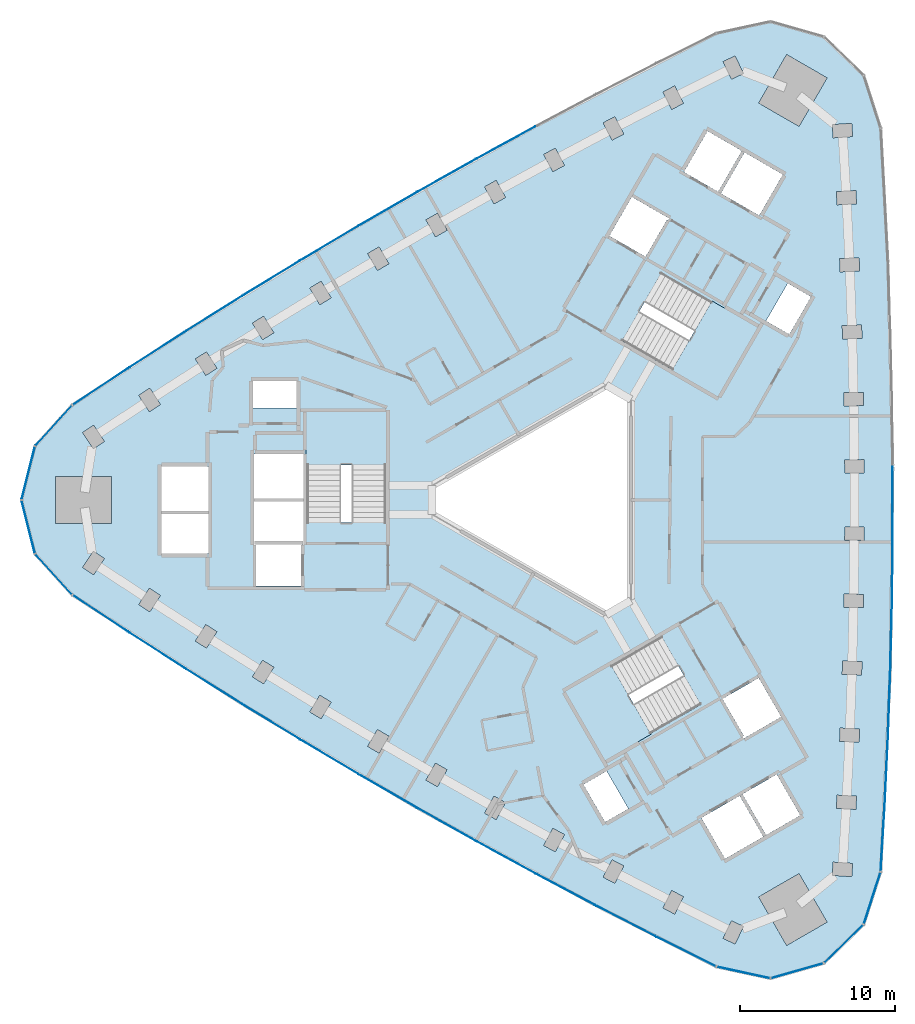
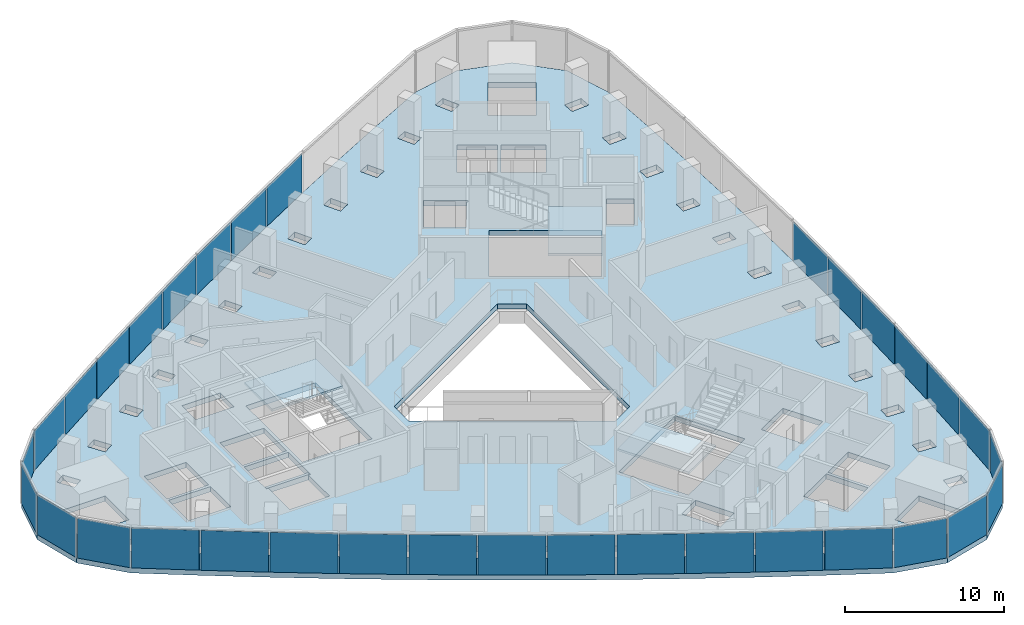
# One storey, part 6 of 12: 33 plates, 4 slabs, 6 elements without a shape of their own.
"""IFC4 building model written with IfcOpenShell, lengths in metres."""

from ifc_helpers import new_model, si_unit, direction, frame, origin, origin_2d, place, context, subcontext, project, spatial, polyline, rectangle, outline, extrude, material, layer, layer_set, type_object, element, aggregate, save


model = new_model("IFC4")

# Units and contexts
model_context = context("Model", 3, precision=1e-05, world=origin(), true_north=direction((0.0, 1.0)))
body_context = subcontext(model_context, "Body", "Model", "MODEL_VIEW")
ifc_project = project(units=[si_unit("LENGTHUNIT", "METRE"), si_unit("AREAUNIT", "SQUARE_METRE"), si_unit("VOLUMEUNIT", "CUBIC_METRE"), si_unit("PLANEANGLEUNIT", "RADIAN"), si_unit("MASSUNIT", "GRAM", prefix="KILO")], contexts=[model_context])

# Site, building, storey
site_placement = place(None, origin())
site = spatial("IfcSite", under=ifc_project, at=site_placement, CompositionType="ELEMENT")
building_placement = place(site_placement, origin())
building = spatial("IfcBuilding", under=site, at=building_placement, Name="Tamra Quay Hotel Tower", CompositionType="ELEMENT")
storey_placement = place(building_placement, frame((0.0, 0.0, 143.199951171875)))
storey = spatial("IfcBuildingStorey", under=building, at=storey_placement, Name="L35", CompositionType="ELEMENT", Elevation=143.199951171875)

# Stair, slab
ifc_material_1 = material(Name="Exit stair 2200 24 risers 150.0 going 342")
stair_type = type_object("IfcStairType", Name="Exit stair 2200 24 risers 150.0 going 342", PredefinedType="HALF_TURN_STAIR", material=ifc_material_1)
stair_1_placement = place(storey_placement, origin())
stair_1 = element("IfcStair", 1, at=stair_1_placement, inside=storey, type_object=stair_type, Name="L35 Exit stair ST3", PredefinedType="HALF_TURN_STAIR")
ifc_material_2 = material(Name="Concrete M70", Category="concrete")
ifc_layer_1 = layer(ifc_material_2, 0.175048828125)
ifc_layer_set_1 = layer_set([ifc_layer_1], Name="Concrete M70 stair landing 180")
slab_type_1 = type_object("IfcSlabType", Name="Concrete M70 stair landing 180", PredefinedType="LANDING", material=ifc_layer_set_1)
slab_1_placement = place(storey_placement, frame((0.0, 0.0, 1.625)))
slab_1 = element("IfcSlab", 2, at=slab_1_placement, type_object=slab_type_1, Name="ST3 landing 1", PredefinedType="LANDING", context=body_context, shape_type="SweptSolid", body=[
    extrude(outline(polyline([(-10.932373046875, 2.261962890625), (-10.932373046875, 5.679931640625), (-16.09130859375, 5.679931640625), (-16.09130859375, 2.261962890625), (-10.932373046875, 2.261962890625)])), origin(), (0.0, 0.0, 1.0), 0.175048828125),
])
aggregate(stair_1, [slab_1])

stair_2_placement = place(storey_placement, origin())
stair_2 = element("IfcStair", 3, at=stair_2_placement, inside=storey, type_object=stair_type, Name="L35 Exit stair ST1", PredefinedType="HALF_TURN_STAIR")
slab_2_placement = place(storey_placement, frame((0.0, 0.0, 1.625)))
slab_2 = element("IfcSlab", 4, at=slab_2_placement, type_object=slab_type_1, Name="ST1 landing 1", PredefinedType="LANDING", context=body_context, shape_type="SweptSolid", body=[
    extrude(outline(polyline([(7.425048828125, 8.336669921875), (10.385009765625, 6.627685546875), (12.964599609375, 11.095458984375), (10.00439453125, 12.804443359375), (7.425048828125, 8.336669921875)])), origin(), (0.0, 0.0, 1.0), 0.175048828125),
])
aggregate(stair_2, [slab_2])

stair_3_placement = place(storey_placement, origin())
stair_3 = element("IfcStair", 5, at=stair_3_placement, inside=storey, type_object=stair_type, Name="L35 Exit stair ST2", PredefinedType="HALF_TURN_STAIR")
slab_3_placement = place(storey_placement, frame((0.0, 0.0, 1.625)))
slab_3 = element("IfcSlab", 6, at=slab_3_placement, type_object=slab_type_1, Name="ST2 landing 1", PredefinedType="LANDING", context=body_context, shape_type="SweptSolid", body=[
    extrude(outline(polyline([(3.50732421875, -10.5986328125), (0.547119140625, -12.3076171875), (3.126708984375, -16.775390625), (6.086669921875, -15.06640625), (3.50732421875, -10.5986328125)])), origin(), (0.0, 0.0, 1.0), 0.175048828125),
])
aggregate(stair_3, [slab_3])

# Slab
ifc_material_3 = material(Name="Concrete M60", Category="concrete")
ifc_layer_2 = layer(ifc_material_3, 0.39990234375)
ifc_layer_set_2 = layer_set([ifc_layer_2], Name="FLOOR SLAB PT 400")
slab_type_2 = type_object("IfcSlabType", Name="FLOOR SLAB PT 400", PredefinedType="FLOOR", material=ifc_layer_set_2)
slab_4_placement = place(storey_placement, frame((0.0, 0.0, -0.39990234375)))
element("IfcSlab", 7, at=slab_4_placement, inside=storey, type_object=slab_type_2, Name="SLAB-L35", PredefinedType="FLOOR", context=body_context, shape_type="SweptSolid", body=[
    extrude(outline(polyline([(21.11181640625, 19.57421875), (21.319580078125, 15.228271484375), (21.4755859375, 10.87841796875), (21.57958984375, 6.527099609375), (21.631591796875, 2.17626953125), (21.631591796875, -2.17626953125), (21.57958984375, -6.527099609375), (21.4755859375, -10.87841796875), (21.319580078125, -15.228271484375), (21.11181640625, -19.57421875), (20.852294921875, -23.918212890625), (19.76171875, -27.31201171875), (17.199951171875, -29.791259765625), (13.772216796875, -30.770263671875), (10.28759765625, -30.017578125), (6.39599609375, -28.0703125), (2.5283203125, -26.077392578125), (-1.31689453125, -24.03759765625), (-5.13720703125, -21.951904296875), (-8.930908203125, -19.821533203125), (-12.700439453125, -17.645263671875), (-16.4423828125, -15.4248046875), (-20.15869140625, -13.1591796875), (-23.84765625, -10.84912109375), (-27.507568359375, -8.49609375), (-31.139892578125, -6.099365234375), (-33.53369140625, -3.4580078125), (-34.39990234375, 0.0), (-33.53369140625, 3.4580078125), (-31.139892578125, 6.099365234375), (-27.507568359375, 8.49609375), (-23.84765625, 10.84912109375), (-20.15869140625, 13.1591796875), (-16.4423828125, 15.4248046875), (-12.700439453125, 17.645263671875), (-8.930908203125, 19.821533203125), (-5.13720703125, 21.951904296875), (-1.31689453125, 24.03759765625), (2.5283203125, 26.077392578125), (6.39599609375, 28.0703125), (10.28759765625, 30.017578125), (13.772216796875, 30.770263671875), (17.199951171875, 29.791259765625), (19.76171875, 27.31201171875), (20.852294921875, 23.918212890625), (21.11181640625, 19.57421875)]), holes=[polyline([(-12.1396484375, -15.846435546875), (-11.406005859375, -16.27587890625), (-10.7744140625, -15.197265625), (-11.5078125, -14.767578125), (-12.1396484375, -15.846435546875)]), polyline([(-15.216796875, -12.561279296875), (-15.86083984375, -13.632568359375), (-15.13232421875, -14.0703125), (-14.48828125, -12.9990234375), (-15.216796875, -12.561279296875)]), polyline([(-18.898193359375, -10.310791015625), (-19.55517578125, -11.3740234375), (-18.83203125, -11.82080078125), (-18.175048828125, -10.757568359375), (-18.898193359375, -10.310791015625)]), polyline([(-22.55224609375, -8.016357421875), (-23.222412109375, -9.071533203125), (-22.5048828125, -9.527099609375), (-21.834716796875, -8.471923828125), (-22.55224609375, -8.016357421875)]), polyline([(-26.179931640625, -5.678466796875), (-26.862060546875, -6.725830078125), (-26.149658203125, -7.189697265625), (-25.467529296875, -6.142333984375), (-26.179931640625, -5.678466796875)]), polyline([(-16.3173828125, -2.85498046875), (-19.4072265625, -2.85498046875), (-19.4072265625, -2.89306640625), (-19.307373046875, -2.89306640625), (-19.307373046875, -5.544921875), (-16.417236328125, -5.544921875), (-16.417236328125, -2.89306640625), (-16.3173828125, -2.89306640625), (-16.3173828125, -2.85498046875)]), polyline([(-29.77880859375, -3.297607421875), (-30.473388671875, -4.3369140625), (-29.7666015625, -4.80908203125), (-29.072021484375, -3.77001953125), (-29.77880859375, -3.297607421875)]), polyline([(-22.3671875, -0.905029296875), (-25.4072265625, -0.905029296875), (-25.4072265625, -3.445068359375), (-22.3671875, -3.445068359375), (-22.3671875, -0.905029296875)]), polyline([(-19.417236328125, -2.89306640625), (-19.417236328125, -2.64501953125), (-16.307373046875, -2.64501953125), (-16.307373046875, -2.89306640625), (-16.26708984375, -2.89306640625), (-16.26708984375, -0.10498046875), (-19.45751953125, -0.10498046875), (-19.45751953125, -2.89306640625), (-19.417236328125, -2.89306640625)]), polyline([(-28.6142578125, 1.5), (-32.214111328125, 1.5), (-32.214111328125, -1.5), (-28.6142578125, -1.5), (-28.6142578125, 1.5)]), polyline([(-25.4072265625, -0.695068359375), (-22.3671875, -0.695068359375), (-22.3671875, 2.14501953125), (-25.4072265625, 2.14501953125), (-25.4072265625, -0.695068359375)]), polyline([(-19.45751953125, 0.10498046875), (-16.26708984375, 0.10498046875), (-16.26708984375, 2.945068359375), (-19.45751953125, 2.945068359375), (-19.45751953125, 0.10498046875)]), polyline([(-16.036376953125, -1.455078125), (-10.9873046875, -1.455078125), (-10.9873046875, 5.625), (-16.036376953125, 5.625), (-16.036376953125, -1.455078125)]), polyline([(-29.072021484375, 3.77001953125), (-29.7666015625, 4.80908203125), (-30.473388671875, 4.3369140625), (-29.77880859375, 3.297607421875), (-29.072021484375, 3.77001953125)]), polyline([(-26.149658203125, 7.189697265625), (-26.862060546875, 6.725830078125), (-26.179931640625, 5.678466796875), (-25.467529296875, 6.142333984375), (-26.149658203125, 7.189697265625)]), polyline([(-16.71728515625, 7.64501953125), (-19.50732421875, 7.64501953125), (-19.50732421875, 5.9150390625), (-16.71728515625, 5.9150390625), (-16.71728515625, 7.64501953125)]), polyline([(-21.834716796875, 8.471923828125), (-22.5048828125, 9.527099609375), (-23.222412109375, 9.071533203125), (-22.55224609375, 8.016357421875), (-21.834716796875, 8.471923828125)]), polyline([(-18.175048828125, 10.757568359375), (-18.83203125, 11.82080078125), (-19.55517578125, 11.3740234375), (-18.898193359375, 10.310791015625), (-18.175048828125, 10.757568359375)]), polyline([(-14.48828125, 12.9990234375), (-15.13232421875, 14.0703125), (-15.86083984375, 13.632568359375), (-15.216796875, 12.561279296875), (-14.48828125, 12.9990234375)]), polyline([(7.414306640625, -25.126708984375), (6.848388671875, -26.2412109375), (7.606201171875, -26.626220703125), (8.17236328125, -25.51171875), (7.414306640625, -25.126708984375)]), polyline([(3.580322265625, -23.1455078125), (3.00146484375, -24.25341796875), (3.7548828125, -24.64697265625), (4.333740234375, -23.5390625), (3.580322265625, -23.1455078125)]), polyline([(-0.821044921875, -22.219482421875), (-0.072509765625, -22.622314453125), (0.519775390625, -21.521484375), (-0.228759765625, -21.118896484375), (-0.821044921875, -22.219482421875)]), polyline([(13.3056640625, -21.65576171875), (11.78564453125, -19.02294921875), (9.325927734375, -20.443115234375), (10.845947265625, -23.075927734375), (13.3056640625, -21.65576171875)]), polyline([(-4.01318359375, -19.046875), (-4.619140625, -20.14013671875), (-3.875732421875, -20.55224609375), (-3.269775390625, -19.458740234375), (-4.01318359375, -19.046875)]), polyline([(1.73779296875, -18.300048828125), (3.1328125, -20.71630859375), (4.631103515625, -19.851318359375), (3.236083984375, -17.43505859375), (1.73779296875, -18.300048828125)]), polyline([(-7.77392578125, -16.9296875), (-8.392333984375, -18.01611328125), (-7.653564453125, -18.436279296875), (-7.035400390625, -17.35009765625), (-7.77392578125, -16.9296875)]), polyline([(9.2783203125, -13.160400390625), (6.75390625, -8.78759765625), (0.622314453125, -12.32763671875), (3.146728515625, -16.7001953125), (9.2783203125, -13.160400390625)]), polyline([(3.199951171875, 7.39013671875), (-8.0, 0.923828125), (-8.0, -0.923828125), (3.199951171875, -7.39013671875), (4.800048828125, -6.46630859375), (4.800048828125, 6.46630859375), (3.199951171875, 7.39013671875)]), polyline([(4.2333984375, 10.242919921875), (10.364990234375, 6.702880859375), (12.889404296875, 11.075439453125), (6.758056640625, 14.615478515625), (4.2333984375, 10.242919921875)]), polyline([(-10.7744140625, 15.197265625), (-11.406005859375, 16.27587890625), (-12.1396484375, 15.846435546875), (-11.5078125, 14.767578125), (-10.7744140625, 15.197265625)]), polyline([(5.736083984375, 15.645263671875), (7.111083984375, 18.02685546875), (7.19775390625, 17.976806640625), (7.267578125, 18.09814453125), (4.8515625, 19.4931640625), (3.406494140625, 16.990234375), (5.736083984375, 15.645263671875)]), polyline([(-7.035400390625, 17.35009765625), (-7.653564453125, 18.436279296875), (-8.392333984375, 18.01611328125), (-7.77392578125, 16.9296875), (-7.035400390625, 17.35009765625)]), polyline([(-3.269775390625, 19.458740234375), (-3.875732421875, 20.55224609375), (-4.619140625, 20.14013671875), (-4.01318359375, 19.046875), (-3.269775390625, 19.458740234375)]), polyline([(8.2001953125, 21.093017578125), (10.39990234375, 19.822998046875), (11.919921875, 22.455810546875), (9.72021484375, 23.725830078125), (8.2001953125, 21.093017578125)]), polyline([(0.519775390625, 21.521484375), (-0.072509765625, 22.622314453125), (-0.821044921875, 22.219482421875), (-0.228759765625, 21.118896484375), (0.519775390625, 21.521484375)]), polyline([(3.7548828125, 24.64697265625), (3.00146484375, 24.25341796875), (3.580322265625, 23.1455078125), (4.333740234375, 23.5390625), (3.7548828125, 24.64697265625)]), polyline([(8.17236328125, 25.51171875), (7.606201171875, 26.626220703125), (6.848388671875, 26.2412109375), (7.414306640625, 25.126708984375), (8.17236328125, 25.51171875)]), polyline([(12.03369140625, 27.43798828125), (11.480712890625, 28.55908203125), (10.718505859375, 28.18310546875), (11.271240234375, 27.06201171875), (12.03369140625, 27.43798828125)]), polyline([(11.271240234375, -27.06201171875), (10.718505859375, -28.18310546875), (11.480712890625, -28.55908203125), (12.03369140625, -27.43798828125), (11.271240234375, -27.06201171875)]), polyline([(13.008056640625, -25.53076171875), (14.80810546875, -28.648193359375), (17.406005859375, -27.148193359375), (15.606201171875, -24.03076171875), (13.008056640625, -25.53076171875)]), polyline([(17.7451171875, -24.140380859375), (18.99267578125, -24.22216796875), (19.048095703125, -23.3740234375), (17.80078125, -23.292236328125), (17.7451171875, -24.140380859375)]), polyline([(14.1669921875, -17.648193359375), (11.96728515625, -18.91796875), (13.487548828125, -21.55078125), (15.68701171875, -20.281005859375), (14.1669921875, -17.648193359375)]), polyline([(19.255859375, -19.900146484375), (19.301513671875, -19.051513671875), (18.05322265625, -18.984375), (18.007568359375, -19.833251953125), (19.255859375, -19.900146484375)]), polyline([(18.218505859375, -15.5224609375), (19.46728515625, -15.5751953125), (19.50341796875, -14.72607421875), (18.25439453125, -14.67333984375), (18.218505859375, -15.5224609375)]), polyline([(10.68115234375, -12.790283203125), (12.05615234375, -15.171875), (11.969482421875, -15.2216796875), (12.03955078125, -15.343017578125), (14.455810546875, -13.947998046875), (13.0107421875, -11.4453125), (10.68115234375, -12.790283203125)]), polyline([(18.37841796875, -11.2109375), (19.627685546875, -11.248291015625), (19.6533203125, -10.398681640625), (18.40380859375, -10.361328125), (18.37841796875, -11.2109375)]), polyline([(18.48681640625, -6.897705078125), (19.736572265625, -6.919677734375), (19.75146484375, -6.06982421875), (18.501708984375, -6.0478515625), (18.48681640625, -6.897705078125)]), polyline([(18.543212890625, -2.582275390625), (19.793212890625, -2.590087890625), (19.79833984375, -1.739990234375), (18.54833984375, -1.732421875), (18.543212890625, -2.582275390625)]), polyline([(18.54833984375, 1.732421875), (19.79833984375, 1.739990234375), (19.793212890625, 2.590087890625), (18.543212890625, 2.582275390625), (18.54833984375, 1.732421875)]), polyline([(18.501708984375, 6.0478515625), (19.75146484375, 6.06982421875), (19.736572265625, 6.919677734375), (18.48681640625, 6.897705078125), (18.501708984375, 6.0478515625)]), polyline([(18.40380859375, 10.361328125), (19.6533203125, 10.398681640625), (19.627685546875, 11.248291015625), (18.37841796875, 11.2109375), (18.40380859375, 10.361328125)]), polyline([(14.9794921875, 10.655029296875), (16.37451171875, 13.0712890625), (14.876220703125, 13.936279296875), (13.481201171875, 11.52001953125), (14.9794921875, 10.655029296875)]), polyline([(18.25439453125, 14.67333984375), (19.50341796875, 14.72607421875), (19.46728515625, 15.5751953125), (18.218505859375, 15.5224609375), (18.25439453125, 14.67333984375)]), polyline([(18.05322265625, 18.984375), (19.301513671875, 19.051513671875), (19.255859375, 19.900146484375), (18.007568359375, 19.833251953125), (18.05322265625, 18.984375)]), polyline([(12.101806640625, 22.350830078125), (10.58154296875, 19.718017578125), (13.041259765625, 18.298095703125), (14.561279296875, 20.930908203125), (12.101806640625, 22.350830078125)]), polyline([(17.80078125, 23.292236328125), (19.048095703125, 23.3740234375), (18.99267578125, 24.22216796875), (17.7451171875, 24.140380859375), (17.80078125, 23.292236328125)]), polyline([(15.606201171875, 24.03076171875), (17.406005859375, 27.148193359375), (14.80810546875, 28.648193359375), (13.008056640625, 25.53076171875), (15.606201171875, 24.03076171875)])]), origin(), (0.0, 0.0, 1.0), 0.39990234375),
])

# Curtain wall, plates
ifc_material_4 = material(Name="Aluminium 6063 anodised dark grey", Category="aluminium")
curtain_wall_type_1 = type_object("IfcCurtainWallType", Name="CW1 CURTAIN WALL", PredefinedType="NOTDEFINED", material=ifc_material_4)
curtain_wall_1_placement = place(storey_placement, origin())
curtain_wall_1 = element("IfcCurtainWall", 8, at=curtain_wall_1_placement, inside=storey, type_object=curtain_wall_type_1, Name="CW1 east face L35", PredefinedType="NOTDEFINED")
ifc_material_5 = material(Name="Glass clear laminated low-iron", Category="glass")
ifc_layer_3 = layer(ifc_material_5, 0.031982421875)
ifc_layer_set_3 = layer_set([ifc_layer_3], Name="GLASS PANEL CW1 Z3")
plate_type_1 = type_object("IfcPlateType", Name="GLASS PANEL CW1 Z3", PredefinedType="CURTAIN_PANEL", material=ifc_layer_set_3)
plate_1_placement = place(storey_placement, frame((20.98193359375, -21.74609375, 0.0), z_axis=(0.0, 0.0, 1.0), x_axis=(0.059641629271, 0.998219853568, 0.0)))
plate_1 = element("IfcPlate", 9, at=plate_1_placement, type_object=plate_type_1, Name="CW1 glass L35.E.1", PredefinedType="CURTAIN_PANEL", context=body_context, shape_type="SweptSolid", body=[
    extrude(rectangle(XDim=4.251708984375, YDim=0.031982421875, at=origin_2d()), origin(), (0.0, 0.0, 1.0), 3.06005859375),
])
plate_2_placement = place(storey_placement, frame((21.215576171875, -17.401123046875, 0.0), z_axis=(0.0, 0.0, 1.0), x_axis=(0.047747439326, 0.998859440581, 0.0)))
plate_2 = element("IfcPlate", 10, at=plate_2_placement, type_object=plate_type_1, Name="CW1 glass L35.E.2", PredefinedType="CURTAIN_PANEL", context=body_context, shape_type="SweptSolid", body=[
    extrude(rectangle(XDim=4.2509765625, YDim=0.031982421875, at=origin_2d()), origin(), (0.0, 0.0, 1.0), 3.06005859375),
])
plate_3_placement = place(storey_placement, frame((21.3974609375, -13.05322265625, 0.0), z_axis=(0.0, 0.0, 1.0), x_axis=(0.035845418958, 0.999357346468, 0.0)))
plate_3 = element("IfcPlate", 11, at=plate_3_placement, type_object=plate_type_1, Name="CW1 glass L35.E.3", PredefinedType="CURTAIN_PANEL", context=body_context, shape_type="SweptSolid", body=[
    extrude(rectangle(XDim=4.252685546875, YDim=0.031982421875, at=origin_2d()), origin(), (0.0, 0.0, 1.0), 3.06005859375),
])
plate_4_placement = place(storey_placement, frame((21.527587890625, -8.70263671875, 0.0), z_axis=(0.0, 0.0, 1.0), x_axis=(0.023895852937, 0.999714453338, 0.0)))
plate_4 = element("IfcPlate", 12, at=plate_4_placement, type_object=plate_type_1, Name="CW1 glass L35.E.4", PredefinedType="CURTAIN_PANEL", context=body_context, shape_type="SweptSolid", body=[
    extrude(rectangle(XDim=4.252685546875, YDim=0.031982421875, at=origin_2d()), origin(), (0.0, 0.0, 1.0), 3.06005859375),
])
plate_5_placement = place(storey_placement, frame((21.60546875, -4.3515625, 0.0), z_axis=(0.0, 0.0, 1.0), x_axis=(0.011956859788, 0.999928514197, 0.0)))
plate_5 = element("IfcPlate", 13, at=plate_5_placement, type_object=plate_type_1, Name="CW1 glass L35.E.5", PredefinedType="CURTAIN_PANEL", context=body_context, shape_type="SweptSolid", body=[
    extrude(rectangle(XDim=4.2509765625, YDim=0.031982421875, at=origin_2d()), origin(), (0.0, 0.0, 1.0), 3.06005859375),
])
plate_6_placement = place(storey_placement, frame((21.631591796875, 0.0, 0.0), z_axis=(0.0, 0.0, 1.0), x_axis=(0.0, 1.0, 0.0)))
plate_6 = element("IfcPlate", 14, at=plate_6_placement, type_object=plate_type_1, Name="CW1 glass L35.E.6", PredefinedType="CURTAIN_PANEL", context=body_context, shape_type="SweptSolid", body=[
    extrude(rectangle(XDim=4.252685546875, YDim=0.031982421875, at=origin_2d()), origin(), (0.0, 0.0, 1.0), 3.06005859375),
])
aggregate(curtain_wall_1, [plate_1, plate_2, plate_3, plate_4, plate_5, plate_6])

curtain_wall_type_2 = type_object("IfcCurtainWallType", Name="CW2 CURTAIN WALL", PredefinedType="NOTDEFINED", material=ifc_material_4)
curtain_wall_2_placement = place(storey_placement, origin())
curtain_wall_2 = element("IfcCurtainWall", 15, at=curtain_wall_2_placement, inside=storey, type_object=curtain_wall_type_2, Name="CW2 north-west face L35", PredefinedType="NOTDEFINED")
ifc_layer_4 = layer(ifc_material_5, 0.031982421875)
ifc_layer_set_4 = layer_set([ifc_layer_4], Name="GLASS PANEL CW2 Z3")
plate_type_2 = type_object("IfcPlateType", Name="GLASS PANEL CW2 Z3", PredefinedType="CURTAIN_PANEL", material=ifc_layer_set_4)
plate_7_placement = place(storey_placement, frame((-3.22705078125, 22.99462890625, 0.0), z_axis=(0.0, 0.0, 1.0), x_axis=(-0.877726039589, -0.479162810981, 0.0)))
plate_7 = element("IfcPlate", 16, at=plate_7_placement, type_object=plate_type_2, Name="CW2 glass L35.NW.4", PredefinedType="CURTAIN_PANEL", context=body_context, shape_type="SweptSolid", body=[
    extrude(rectangle(XDim=4.252685546875, YDim=0.031982421875, at=origin_2d()), origin(), (0.0, 0.0, 1.0), 3.06005859375),
])
plate_8_placement = place(storey_placement, frame((-7.0341796875, 20.88671875, 0.0), z_axis=(0.0, 0.0, 1.0), x_axis=(-0.871941925157, -0.489609312772, 0.0)))
plate_8 = element("IfcPlate", 17, at=plate_8_placement, type_object=plate_type_2, Name="CW2 glass L35.NW.5", PredefinedType="CURTAIN_PANEL", context=body_context, shape_type="SweptSolid", body=[
    extrude(rectangle(XDim=4.2509765625, YDim=0.031982421875, at=origin_2d()), origin(), (0.0, 0.0, 1.0), 3.06005859375),
])
plate_9_placement = place(storey_placement, frame((-10.815673828125, 18.7333984375, 0.0), z_axis=(0.0, 0.0, 1.0), x_axis=(-0.866025403784, -0.5, 0.0)))
plate_9 = element("IfcPlate", 18, at=plate_9_placement, type_object=plate_type_2, Name="CW2 glass L35.NW.6", PredefinedType="CURTAIN_PANEL", context=body_context, shape_type="SweptSolid", body=[
    extrude(rectangle(XDim=4.252685546875, YDim=0.031982421875, at=origin_2d()), origin(), (0.0, 0.0, 1.0), 3.06005859375),
])
plate_10_placement = place(storey_placement, frame((-14.571533203125, 16.53515625, 0.0), z_axis=(0.0, 0.0, 1.0), x_axis=(-0.859985065369, -0.510319201424, 0.0)))
plate_10 = element("IfcPlate", 19, at=plate_10_placement, type_object=plate_type_2, Name="CW2 glass L35.NW.7", PredefinedType="CURTAIN_PANEL", context=body_context, shape_type="SweptSolid", body=[
    extrude(rectangle(XDim=4.2509765625, YDim=0.031982421875, at=origin_2d()), origin(), (0.0, 0.0, 1.0), 3.06005859375),
])
plate_11_placement = place(storey_placement, frame((-18.300537109375, 14.2919921875, 0.0), z_axis=(0.0, 0.0, 1.0), x_axis=(-0.853830186653, -0.520551642357, 0.0)))
plate_11 = element("IfcPlate", 20, at=plate_11_placement, type_object=plate_type_2, Name="CW2 glass L35.NW.8", PredefinedType="CURTAIN_PANEL", context=body_context, shape_type="SweptSolid", body=[
    extrude(rectangle(XDim=4.252685546875, YDim=0.031982421875, at=origin_2d()), origin(), (0.0, 0.0, 1.0), 3.06005859375),
])
plate_12_placement = place(storey_placement, frame((-22.003173828125, 12.004150390625, 0.0), z_axis=(0.0, 0.0, 1.0), x_axis=(-0.847546140021, -0.530721716661, 0.0)))
plate_12 = element("IfcPlate", 21, at=plate_12_placement, type_object=plate_type_2, Name="CW2 glass L35.NW.9", PredefinedType="CURTAIN_PANEL", context=body_context, shape_type="SweptSolid", body=[
    extrude(rectangle(XDim=4.252685546875, YDim=0.031982421875, at=origin_2d()), origin(), (0.0, 0.0, 1.0), 3.06005859375),
])
plate_13_placement = place(storey_placement, frame((-25.677734375, 9.672607421875, 0.0), z_axis=(0.0, 0.0, 1.0), x_axis=(-0.84116393069, -0.540780215713, 0.0)))
plate_13 = element("IfcPlate", 22, at=plate_13_placement, type_object=plate_type_2, Name="CW2 glass L35.NW.10", PredefinedType="CURTAIN_PANEL", context=body_context, shape_type="SweptSolid", body=[
    extrude(rectangle(XDim=4.2509765625, YDim=0.031982421875, at=origin_2d()), origin(), (0.0, 0.0, 1.0), 3.06005859375),
])
plate_14_placement = place(storey_placement, frame((-29.32373046875, 7.2978515625, 0.0), z_axis=(0.0, 0.0, 1.0), x_axis=(-0.834662937117, -0.550761092856, 0.0)))
plate_14 = element("IfcPlate", 23, at=plate_14_placement, type_object=plate_type_2, Name="CW2 glass L35.NW.11", PredefinedType="CURTAIN_PANEL", context=body_context, shape_type="SweptSolid", body=[
    extrude(rectangle(XDim=4.251708984375, YDim=0.031982421875, at=origin_2d()), origin(), (0.0, 0.0, 1.0), 3.06005859375),
])
plate_15_placement = place(storey_placement, frame((-32.3369140625, 4.77880859375, 0.0), z_axis=(0.0, 0.0, 1.0), x_axis=(-0.671549804177, -0.740959418936, 0.0)))
plate_15 = element("IfcPlate", 24, at=plate_15_placement, type_object=plate_type_2, Name="CW2 glass L35.NW.12", PredefinedType="CURTAIN_PANEL", context=body_context, shape_type="SweptSolid", body=[
    extrude(rectangle(XDim=3.46484375, YDim=0.031982421875, at=origin_2d()), origin(), (0.0, 0.0, 1.0), 3.06005859375),
])
plate_16_placement = place(storey_placement, frame((-33.967041015625, 1.72900390625, 0.0), z_axis=(0.0, 0.0, 1.0), x_axis=(-0.242976186667, -0.970032253439, 0.0)))
plate_16 = element("IfcPlate", 25, at=plate_16_placement, type_object=plate_type_2, Name="CW2 glass L35.NW.13", PredefinedType="CURTAIN_PANEL", context=body_context, shape_type="SweptSolid", body=[
    extrude(rectangle(XDim=3.46484375, YDim=0.031982421875, at=origin_2d()), origin(), (0.0, 0.0, 1.0), 3.06005859375),
])
plate_17_placement = place(storey_placement, frame((-33.967041015625, -1.72900390625, 0.0), z_axis=(0.0, 0.0, 1.0), x_axis=(0.242976186667, -0.970032253439, 0.0)))
plate_17 = element("IfcPlate", 26, at=plate_17_placement, type_object=plate_type_2, Name="CW2 glass L35.NW.14", PredefinedType="CURTAIN_PANEL", context=body_context, shape_type="SweptSolid", body=[
    extrude(rectangle(XDim=3.46484375, YDim=0.031982421875, at=origin_2d()), origin(), (0.0, 0.0, 1.0), 3.06005859375),
])
plate_18_placement = place(storey_placement, frame((-32.3369140625, -4.77880859375, 0.0), z_axis=(0.0, 0.0, 1.0), x_axis=(0.671549804177, -0.740959418936, 0.0)))
plate_18 = element("IfcPlate", 27, at=plate_18_placement, type_object=plate_type_2, Name="CW2 glass L35.NW.15", PredefinedType="CURTAIN_PANEL", context=body_context, shape_type="SweptSolid", body=[
    extrude(rectangle(XDim=3.46484375, YDim=0.031982421875, at=origin_2d()), origin(), (0.0, 0.0, 1.0), 3.06005859375),
])
aggregate(curtain_wall_2, [plate_7, plate_8, plate_9, plate_10, plate_11, plate_12, plate_13, plate_14, plate_15, plate_16, plate_17, plate_18])

curtain_wall_type_3 = type_object("IfcCurtainWallType", Name="CW3 CURTAIN WALL", PredefinedType="NOTDEFINED", material=ifc_material_4)
curtain_wall_3_placement = place(storey_placement, origin())
curtain_wall_3 = element("IfcCurtainWall", 28, at=curtain_wall_3_placement, inside=storey, type_object=curtain_wall_type_3, Name="CW3 south-west face L35", PredefinedType="NOTDEFINED")
ifc_layer_5 = layer(ifc_material_5, 0.031982421875)
ifc_layer_set_5 = layer_set([ifc_layer_5], Name="GLASS PANEL CW3 Z3")
plate_type_3 = type_object("IfcPlateType", Name="GLASS PANEL CW3 Z3", PredefinedType="CURTAIN_PANEL", material=ifc_layer_set_5)
plate_19_placement = place(storey_placement, frame((-29.32373046875, -7.2978515625, 0.0), z_axis=(0.0, 0.0, 1.0), x_axis=(0.834662937117, -0.550761092856, 0.0)))
plate_19 = element("IfcPlate", 29, at=plate_19_placement, type_object=plate_type_3, Name="CW3 glass L35.SW.1", PredefinedType="CURTAIN_PANEL", context=body_context, shape_type="SweptSolid", body=[
    extrude(rectangle(XDim=4.251708984375, YDim=0.031982421875, at=origin_2d()), origin(), (0.0, 0.0, 1.0), 3.06005859375),
])
plate_20_placement = place(storey_placement, frame((-25.677734375, -9.672607421875, 0.0), z_axis=(0.0, 0.0, 1.0), x_axis=(0.84116393069, -0.540780215713, 0.0)))
plate_20 = element("IfcPlate", 30, at=plate_20_placement, type_object=plate_type_3, Name="CW3 glass L35.SW.2", PredefinedType="CURTAIN_PANEL", context=body_context, shape_type="SweptSolid", body=[
    extrude(rectangle(XDim=4.2509765625, YDim=0.031982421875, at=origin_2d()), origin(), (0.0, 0.0, 1.0), 3.06005859375),
])
plate_21_placement = place(storey_placement, frame((-22.003173828125, -12.004150390625, 0.0), z_axis=(0.0, 0.0, 1.0), x_axis=(0.847546140021, -0.530721716661, 0.0)))
plate_21 = element("IfcPlate", 31, at=plate_21_placement, type_object=plate_type_3, Name="CW3 glass L35.SW.3", PredefinedType="CURTAIN_PANEL", context=body_context, shape_type="SweptSolid", body=[
    extrude(rectangle(XDim=4.252685546875, YDim=0.031982421875, at=origin_2d()), origin(), (0.0, 0.0, 1.0), 3.06005859375),
])
plate_22_placement = place(storey_placement, frame((-18.300537109375, -14.2919921875, 0.0), z_axis=(0.0, 0.0, 1.0), x_axis=(0.853830186653, -0.520551642357, 0.0)))
plate_22 = element("IfcPlate", 32, at=plate_22_placement, type_object=plate_type_3, Name="CW3 glass L35.SW.4", PredefinedType="CURTAIN_PANEL", context=body_context, shape_type="SweptSolid", body=[
    extrude(rectangle(XDim=4.252685546875, YDim=0.031982421875, at=origin_2d()), origin(), (0.0, 0.0, 1.0), 3.06005859375),
])
plate_23_placement = place(storey_placement, frame((-14.571533203125, -16.53515625, 0.0), z_axis=(0.0, 0.0, 1.0), x_axis=(0.859985065369, -0.510319201424, 0.0)))
plate_23 = element("IfcPlate", 33, at=plate_23_placement, type_object=plate_type_3, Name="CW3 glass L35.SW.5", PredefinedType="CURTAIN_PANEL", context=body_context, shape_type="SweptSolid", body=[
    extrude(rectangle(XDim=4.2509765625, YDim=0.031982421875, at=origin_2d()), origin(), (0.0, 0.0, 1.0), 3.06005859375),
])
plate_24_placement = place(storey_placement, frame((-10.815673828125, -18.7333984375, 0.0), z_axis=(0.0, 0.0, 1.0), x_axis=(0.866025403784, -0.5, 0.0)))
plate_24 = element("IfcPlate", 34, at=plate_24_placement, type_object=plate_type_3, Name="CW3 glass L35.SW.6", PredefinedType="CURTAIN_PANEL", context=body_context, shape_type="SweptSolid", body=[
    extrude(rectangle(XDim=4.252685546875, YDim=0.031982421875, at=origin_2d()), origin(), (0.0, 0.0, 1.0), 3.06005859375),
])
plate_25_placement = place(storey_placement, frame((-7.0341796875, -20.88671875, 0.0), z_axis=(0.0, 0.0, 1.0), x_axis=(0.871941925157, -0.489609312772, 0.0)))
plate_25 = element("IfcPlate", 35, at=plate_25_placement, type_object=plate_type_3, Name="CW3 glass L35.SW.7", PredefinedType="CURTAIN_PANEL", context=body_context, shape_type="SweptSolid", body=[
    extrude(rectangle(XDim=4.2509765625, YDim=0.031982421875, at=origin_2d()), origin(), (0.0, 0.0, 1.0), 3.06005859375),
])
plate_26_placement = place(storey_placement, frame((-3.22705078125, -22.99462890625, 0.0), z_axis=(0.0, 0.0, 1.0), x_axis=(0.877726039589, -0.479162810981, 0.0)))
plate_26 = element("IfcPlate", 36, at=plate_26_placement, type_object=plate_type_3, Name="CW3 glass L35.SW.8", PredefinedType="CURTAIN_PANEL", context=body_context, shape_type="SweptSolid", body=[
    extrude(rectangle(XDim=4.252685546875, YDim=0.031982421875, at=origin_2d()), origin(), (0.0, 0.0, 1.0), 3.06005859375),
])
plate_27_placement = place(storey_placement, frame((0.605712890625, -25.057373046875, 0.0), z_axis=(0.0, 0.0, 1.0), x_axis=(0.883391558979, -0.468635629808, 0.0)))
plate_27 = element("IfcPlate", 37, at=plate_27_placement, type_object=plate_type_3, Name="CW3 glass L35.SW.9", PredefinedType="CURTAIN_PANEL", context=body_context, shape_type="SweptSolid", body=[
    extrude(rectangle(XDim=4.252685546875, YDim=0.031982421875, at=origin_2d()), origin(), (0.0, 0.0, 1.0), 3.06005859375),
])
plate_28_placement = place(storey_placement, frame((4.462158203125, -27.073974609375, 0.0), z_axis=(0.0, 0.0, 1.0), x_axis=(0.888911370016, -0.458079224868, 0.0)))
plate_28 = element("IfcPlate", 38, at=plate_28_placement, type_object=plate_type_3, Name="CW3 glass L35.SW.10", PredefinedType="CURTAIN_PANEL", context=body_context, shape_type="SweptSolid", body=[
    extrude(rectangle(XDim=4.2509765625, YDim=0.031982421875, at=origin_2d()), origin(), (0.0, 0.0, 1.0), 3.06005859375),
])
plate_29_placement = place(storey_placement, frame((8.341796875, -29.0439453125, 0.0), z_axis=(0.0, 0.0, 1.0), x_axis=(0.894304566387, -0.447458760713, 0.0)))
plate_29 = element("IfcPlate", 39, at=plate_29_placement, type_object=plate_type_3, Name="CW3 glass L35.SW.11", PredefinedType="CURTAIN_PANEL", context=body_context, shape_type="SweptSolid", body=[
    extrude(rectangle(XDim=4.251708984375, YDim=0.031982421875, at=origin_2d()), origin(), (0.0, 0.0, 1.0), 3.06005859375),
])
plate_30_placement = place(storey_placement, frame((12.030029296875, -30.393798828125, 0.0), z_axis=(0.0, 0.0, 1.0), x_axis=(0.97746458206, -0.211099480856, 0.0)))
plate_30 = element("IfcPlate", 40, at=plate_30_placement, type_object=plate_type_3, Name="CW3 glass L35.SW.12", PredefinedType="CURTAIN_PANEL", context=body_context, shape_type="SweptSolid", body=[
    extrude(rectangle(XDim=3.46484375, YDim=0.031982421875, at=origin_2d()), origin(), (0.0, 0.0, 1.0), 3.06005859375),
])
plate_31_placement = place(storey_placement, frame((15.486083984375, -30.28076171875, 0.0), z_axis=(0.0, 0.0, 1.0), x_axis=(0.961560667302, 0.274592576551, 0.0)))
plate_31 = element("IfcPlate", 41, at=plate_31_placement, type_object=plate_type_3, Name="CW3 glass L35.SW.13", PredefinedType="CURTAIN_PANEL", context=body_context, shape_type="SweptSolid", body=[
    extrude(rectangle(XDim=3.46484375, YDim=0.031982421875, at=origin_2d()), origin(), (0.0, 0.0, 1.0), 3.06005859375),
])
plate_32_placement = place(storey_placement, frame((18.480712890625, -28.5517578125, 0.0), z_axis=(0.0, 0.0, 1.0), x_axis=(0.718584480635, 0.695439676888, 0.0)))
plate_32 = element("IfcPlate", 42, at=plate_32_placement, type_object=plate_type_3, Name="CW3 glass L35.SW.14", PredefinedType="CURTAIN_PANEL", context=body_context, shape_type="SweptSolid", body=[
    extrude(rectangle(XDim=3.46484375, YDim=0.031982421875, at=origin_2d()), origin(), (0.0, 0.0, 1.0), 3.06005859375),
])
plate_33_placement = place(storey_placement, frame((20.306884765625, -25.615234375, 0.0), z_axis=(0.0, 0.0, 1.0), x_axis=(0.305914777883, 0.952058899792, 0.0)))
plate_33 = element("IfcPlate", 43, at=plate_33_placement, type_object=plate_type_3, Name="CW3 glass L35.SW.15", PredefinedType="CURTAIN_PANEL", context=body_context, shape_type="SweptSolid", body=[
    extrude(rectangle(XDim=3.46484375, YDim=0.031982421875, at=origin_2d()), origin(), (0.0, 0.0, 1.0), 3.06005859375),
])
aggregate(curtain_wall_3, [plate_19, plate_20, plate_21, plate_22, plate_23, plate_24, plate_25, plate_26, plate_27, plate_28, plate_29, plate_30, plate_31, plate_32, plate_33])

save(model, "model.ifc")
